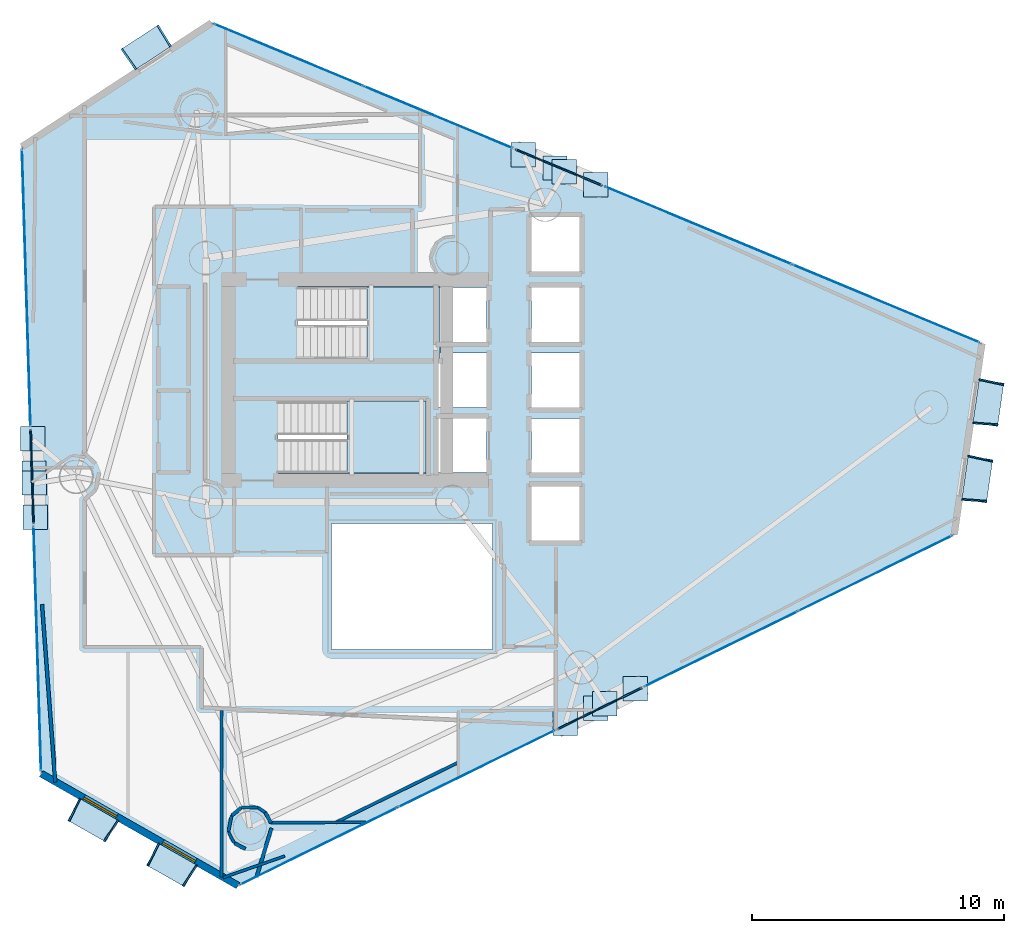
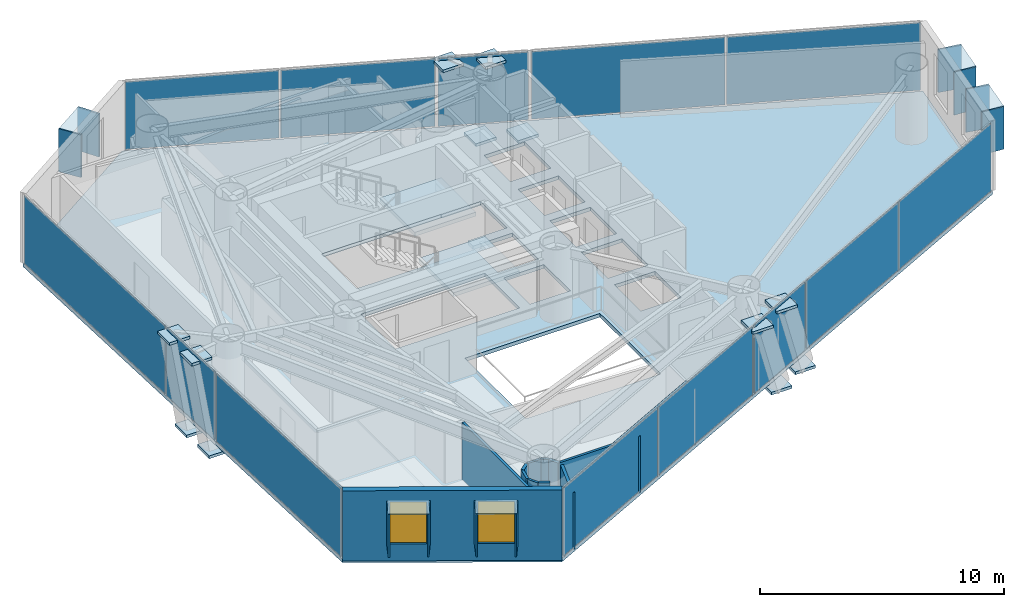
# One storey, part 17 of 22: 40 plates, 14 walls, 3 slabs, 2 windows, 2 openings, 11 elements without a shape of their own.
"""IFC4 building model written with IfcOpenShell, lengths in metres."""

from ifc_helpers import new_model, si_unit, direction, frame, frame_2d, origin, origin_2d, place, context, subcontext, project, spatial, polyline, rectangle, outline, extrude, material, layer, layer_set, type_object, element, fill, aggregate, save


model = new_model("IFC4")

# Units and contexts
model_context = context("Model", 3, precision=1e-05, world=origin(), true_north=direction((0.0, 1.0)))
body_context = subcontext(model_context, "Body", "Model", "MODEL_VIEW")
ifc_project = project(units=[si_unit("LENGTHUNIT", "METRE"), si_unit("AREAUNIT", "SQUARE_METRE"), si_unit("VOLUMEUNIT", "CUBIC_METRE"), si_unit("PLANEANGLEUNIT", "RADIAN"), si_unit("MASSUNIT", "GRAM", prefix="KILO")], contexts=[model_context])

# Site, building, storey
site_placement = place(None, origin())
site = spatial("IfcSite", under=ifc_project, at=site_placement, CompositionType="ELEMENT")
building_placement = place(site_placement, origin())
building = spatial("IfcBuilding", under=site, at=building_placement, Name="Qianvela Tower", CompositionType="ELEMENT")
storey_placement = place(building_placement, frame((0.0, 0.0, 158.699951171875)))
storey = spatial("IfcBuildingStorey", under=building, at=storey_placement, Name="L40", CompositionType="ELEMENT", Elevation=158.699951171875)

# Curtain wall, plate
ifc_material_1 = material(Name="Anodised Architectural Aluminium and Insulated Spandrel Panel", Category="aluminium")
ifc_layer_1 = layer(ifc_material_1, 0.179931640625)
ifc_layer_set_1 = layer_set([ifc_layer_1], Name="Anodised Architectural Aluminium and Insulated Spandrel Panel")
curtain_wall_type_1 = type_object("IfcCurtainWallType", Name="CW-BRACEBAY", PredefinedType="USERDEFINED", material=ifc_layer_set_1)
curtain_wall_1_placement = place(storey_placement, origin())
curtain_wall_1 = element("IfcCurtainWall", 1, at=curtain_wall_1_placement, inside=storey, type_object=curtain_wall_type_1, Name="L40 CW-BRACEBAY Curtain Wall 02B", ObjectType="CURTAIN_WALL_SYSTEM", PredefinedType="USERDEFINED")
ifc_material_2 = material(Name="Insulated Aluminium Spandrel Panel with Mineral-Wool Backpan", Category="aluminium")
ifc_layer_2 = layer(ifc_material_2, 0.06005859375)
ifc_layer_set_2 = layer_set([ifc_layer_2], Name="Insulated Aluminium Spandrel Panel with Mineral-Wool Backpan")
plate_type_1 = type_object("IfcPlateType", Name="CW-BRACEBAY-PNL", PredefinedType="CURTAIN_PANEL", material=ifc_layer_set_2)
plate_1_placement = place(storey_placement, frame((42.632080078125, 37.15087890625, 0.06494140625), z_axis=(0.0, 0.0, 1.0), x_axis=(-0.923253112428, 0.38419225707, 0.0)))
plate_1 = element("IfcPlate", 2, at=plate_1_placement, type_object=plate_type_1, Name="CW-9 panel 1.1", PredefinedType="CURTAIN_PANEL", context=body_context, shape_type="SweptSolid", body=[
    extrude(rectangle(XDim=3.72998046875, YDim=0.06005859375, at=origin_2d()), origin(), (0.0, 0.0, 1.0), 3.389892578125),
])
aggregate(curtain_wall_1, [plate_1])

curtain_wall_2_placement = place(storey_placement, origin())
curtain_wall_2 = element("IfcCurtainWall", 3, at=curtain_wall_2_placement, inside=storey, type_object=curtain_wall_type_1, Name="L40 CW-BRACEBAY Curtain Wall 04B", ObjectType="CURTAIN_WALL_SYSTEM", PredefinedType="USERDEFINED")
plate_2_placement = place(storey_placement, frame((21.693603515625, 24.867431640625, 0.06494140625), z_axis=(0.0, 0.0, 1.0), x_axis=(0.030699327861, -0.999528664556, 0.0)))
plate_2 = element("IfcPlate", 4, at=plate_2_placement, type_object=plate_type_1, Name="CW-9 panel 1.1", PredefinedType="CURTAIN_PANEL", context=body_context, shape_type="SweptSolid", body=[
    extrude(rectangle(XDim=3.72998046875, YDim=0.06005859375, at=origin_2d()), origin(), (0.0, 0.0, 1.0), 3.389892578125),
])
aggregate(curtain_wall_2, [plate_2])

curtain_wall_3_placement = place(storey_placement, origin())
curtain_wall_3 = element("IfcCurtainWall", 5, at=curtain_wall_3_placement, inside=storey, type_object=curtain_wall_type_1, Name="L40 CW-BRACEBAY Curtain Wall 06B", ObjectType="CURTAIN_WALL_SYSTEM", PredefinedType="USERDEFINED")
plate_3_placement = place(storey_placement, frame((44.254638671875, 15.649658203125, 0.06494140625), z_axis=(0.0, 0.0, 1.0), x_axis=(0.897921527875, 0.440155574517, 0.0)))
plate_3 = element("IfcPlate", 6, at=plate_3_placement, type_object=plate_type_1, Name="CW-9 panel 1.1", PredefinedType="CURTAIN_PANEL", context=body_context, shape_type="SweptSolid", body=[
    extrude(rectangle(XDim=3.719970703125, YDim=0.06005859375, at=origin_2d()), origin(), (0.0, 0.0, 1.0), 3.389892578125),
])
aggregate(curtain_wall_3, [plate_3])

# Curtain wall, plates
ifc_material_3 = material(Name="Anodised Architectural Aluminium and Low-E Glass", Category="aluminium")
ifc_layer_3 = layer(ifc_material_3, 0.169921875)
ifc_layer_set_3 = layer_set([ifc_layer_3], Name="Anodised Architectural Aluminium and Low-E Glass")
curtain_wall_type_2 = type_object("IfcCurtainWallType", Name="CW-COLIV-Z34", PredefinedType="USERDEFINED", material=ifc_layer_set_3)
curtain_wall_4_placement = place(storey_placement, origin())
curtain_wall_4 = element("IfcCurtainWall", 7, at=curtain_wall_4_placement, inside=storey, type_object=curtain_wall_type_2, Name="L40 CW-COLIV-Z34 Curtain Wall 02A", ObjectType="CURTAIN_WALL_SYSTEM", PredefinedType="USERDEFINED")
ifc_material_4 = material(Name="Double-Silver Low-E Insulated Glass", Category="glass")
ifc_layer_4 = layer(ifc_material_4, 0.028076171875)
ifc_layer_set_4 = layer_set([ifc_layer_4], Name="Double-Silver Low-E Insulated Glass")
plate_type_2 = type_object("IfcPlateType", Name="CW-COLIV-Z34-PNL", PredefinedType="CURTAIN_PANEL", material=ifc_layer_set_4)
plate_4_placement = place(storey_placement, frame((55.63720703125, 31.7392578125, 0.06494140625), z_axis=(0.0, 0.0, 1.0), x_axis=(-0.923256197428, 0.384184843417, 0.0)))
plate_4 = element("IfcPlate", 8, at=plate_4_placement, type_object=plate_type_2, Name="CW-4 panel 1.1", PredefinedType="CURTAIN_PANEL", context=body_context, shape_type="SweptSolid", body=[
    extrude(rectangle(XDim=8.017578125, YDim=0.028076171875, at=origin_2d()), origin(), (0.0, 0.0, 1.0), 3.389892578125),
])
plate_5_placement = place(storey_placement, frame((48.175048828125, 34.844482421875, 0.06494140625), z_axis=(0.0, 0.0, 1.0), x_axis=(-0.923256197428, 0.384184843417, 0.0)))
plate_5 = element("IfcPlate", 9, at=plate_5_placement, type_object=plate_type_2, Name="CW-4 panel 2.1", PredefinedType="CURTAIN_PANEL", context=body_context, shape_type="SweptSolid", body=[
    extrude(rectangle(XDim=8.017578125, YDim=0.028076171875, at=origin_2d()), origin(), (0.0, 0.0, 1.0), 3.389892578125),
])
aggregate(curtain_wall_4, [plate_4, plate_5])

curtain_wall_5_placement = place(storey_placement, origin())
curtain_wall_5 = element("IfcCurtainWall", 10, at=curtain_wall_5_placement, inside=storey, type_object=curtain_wall_type_2, Name="L40 CW-COLIV-Z34 Curtain Wall 02C", ObjectType="CURTAIN_WALL_SYSTEM", PredefinedType="USERDEFINED")
plate_6_placement = place(storey_placement, frame((37.841552734375, 39.14453125, 0.06494140625), z_axis=(0.0, 0.0, 1.0), x_axis=(-0.923257261312, 0.384182286726, 0.0)))
plate_6 = element("IfcPlate", 11, at=plate_6_placement, type_object=plate_type_2, Name="CW-4 panel 1.1", PredefinedType="CURTAIN_PANEL", context=body_context, shape_type="SweptSolid", body=[
    extrude(rectangle(XDim=6.38720703125, YDim=0.028076171875, at=origin_2d()), origin(), (0.0, 0.0, 1.0), 3.389892578125),
])
plate_7_placement = place(storey_placement, frame((31.884521484375, 41.623291015625, 0.06494140625), z_axis=(0.0, 0.0, 1.0), x_axis=(-0.923257261312, 0.384182286726, 0.0)))
plate_7 = element("IfcPlate", 12, at=plate_7_placement, type_object=plate_type_2, Name="CW-4 panel 2.1", PredefinedType="CURTAIN_PANEL", context=body_context, shape_type="SweptSolid", body=[
    extrude(rectangle(XDim=6.38720703125, YDim=0.028076171875, at=origin_2d()), origin(), (0.0, 0.0, 1.0), 3.389892578125),
])
aggregate(curtain_wall_5, [plate_6, plate_7])

# Curtain wall, plate
curtain_wall_6_placement = place(storey_placement, origin())
curtain_wall_6 = element("IfcCurtainWall", 13, at=curtain_wall_6_placement, inside=storey, type_object=curtain_wall_type_2, Name="L40 CW-COLIV-Z34 Curtain Wall 04A", ObjectType="CURTAIN_WALL_SYSTEM", PredefinedType="USERDEFINED")
plate_8_placement = place(storey_placement, frame((21.46337890625, 32.35888671875, 0.06494140625), z_axis=(0.0, 0.0, 1.0), x_axis=(0.030718908808, -0.999528062959, 0.0)))
plate_8 = element("IfcPlate", 14, at=plate_8_placement, type_object=plate_type_2, Name="CW-4 panel 1.1", PredefinedType="CURTAIN_PANEL", context=body_context, shape_type="SweptSolid", body=[
    extrude(rectangle(XDim=11.0, YDim=0.028076171875, at=origin_2d()), origin(), (0.0, 0.0, 1.0), 3.389892578125),
])
aggregate(curtain_wall_6, [plate_8])

curtain_wall_7_placement = place(storey_placement, origin())
curtain_wall_7 = element("IfcCurtainWall", 15, at=curtain_wall_7_placement, inside=storey, type_object=curtain_wall_type_2, Name="L40 CW-COLIV-Z34 Curtain Wall 04C", ObjectType="CURTAIN_WALL_SYSTEM", PredefinedType="USERDEFINED")
plate_9_placement = place(storey_placement, frame((21.90380859375, 18.022216796875, 0.06494140625), z_axis=(0.0, 0.0, 1.0), x_axis=(0.030720926119, -0.999528000958, 0.0)))
plate_9 = element("IfcPlate", 16, at=plate_9_placement, type_object=plate_type_2, Name="CW-4 panel 1.1", PredefinedType="CURTAIN_PANEL", context=body_context, shape_type="SweptSolid", body=[
    extrude(rectangle(XDim=9.70703125, YDim=0.028076171875, at=origin_2d()), origin(), (0.0, 0.0, 1.0), 3.389892578125),
])
aggregate(curtain_wall_7, [plate_9])

# Curtain wall, plates
curtain_wall_8_placement = place(storey_placement, origin())
curtain_wall_8 = element("IfcCurtainWall", 17, at=curtain_wall_8_placement, inside=storey, type_object=curtain_wall_type_2, Name="L40 CW-COLIV-Z34 Curtain Wall 06A", ObjectType="CURTAIN_WALL_SYSTEM", PredefinedType="USERDEFINED")
plate_10_placement = place(storey_placement, frame((33.09228515625, 10.177978515625, 0.06494140625), z_axis=(0.0, 0.0, 1.0), x_axis=(0.897927516592, 0.440143357268, 0.0)))
plate_10 = element("IfcPlate", 18, at=plate_10_placement, type_object=plate_type_2, Name="CW-4 panel 1.1", PredefinedType="CURTAIN_PANEL", context=body_context, shape_type="SweptSolid", body=[
    extrude(rectangle(XDim=6.91748046875, YDim=0.028076171875, at=origin_2d()), origin(), (0.0, 0.0, 1.0), 3.389892578125),
])
plate_11_placement = place(storey_placement, frame((39.362060546875, 13.25146484375, 0.06494140625), z_axis=(0.0, 0.0, 1.0), x_axis=(0.897927516592, 0.440143357268, 0.0)))
plate_11 = element("IfcPlate", 19, at=plate_11_placement, type_object=plate_type_2, Name="CW-4 panel 2.1", PredefinedType="CURTAIN_PANEL", context=body_context, shape_type="SweptSolid", body=[
    extrude(rectangle(XDim=6.91748046875, YDim=0.028076171875, at=origin_2d()), origin(), (0.0, 0.0, 1.0), 3.389892578125),
])
aggregate(curtain_wall_8, [plate_10, plate_11])

curtain_wall_9_placement = place(storey_placement, origin())
curtain_wall_9 = element("IfcCurtainWall", 20, at=curtain_wall_9_placement, inside=storey, type_object=curtain_wall_type_2, Name="L40 CW-COLIV-Z34 Curtain Wall 06C", ObjectType="CURTAIN_WALL_SYSTEM", PredefinedType="USERDEFINED")
plate_12_placement = place(storey_placement, frame((49.075927734375, 18.012939453125, 0.06494140625), z_axis=(0.0, 0.0, 1.0), x_axis=(0.897927560932, 0.44014326681, 0.0)))
plate_12 = element("IfcPlate", 21, at=plate_12_placement, type_object=plate_type_2, Name="CW-4 panel 1.1", PredefinedType="CURTAIN_PANEL", context=body_context, shape_type="SweptSolid", body=[
    extrude(rectangle(XDim=6.7587890625, YDim=0.028076171875, at=origin_2d()), origin(), (0.0, 0.0, 1.0), 3.389892578125),
])
plate_13_placement = place(storey_placement, frame((55.203125, 21.016357421875, 0.06494140625), z_axis=(0.0, 0.0, 1.0), x_axis=(0.897927560932, 0.44014326681, 0.0)))
plate_13 = element("IfcPlate", 22, at=plate_13_placement, type_object=plate_type_2, Name="CW-4 panel 2.1", PredefinedType="CURTAIN_PANEL", context=body_context, shape_type="SweptSolid", body=[
    extrude(rectangle(XDim=6.7587890625, YDim=0.028076171875, at=origin_2d()), origin(), (0.0, 0.0, 1.0), 3.389892578125),
])
aggregate(curtain_wall_9, [plate_12, plate_13])

# Plates
ifc_material_5 = material(Name="Steel Q420GJC", Category="steel")
ifc_layer_5 = layer(ifc_material_5, 0.139892578125)
ifc_layer_set_5 = layer_set([ifc_layer_5], Name="Steel Q420GJC")
plate_type_3 = type_object("IfcPlateType", Name="PT-GUSSET-NODE-140", PredefinedType="USERDEFINED", material=ifc_layer_set_5)
for number, where, z_axis, x_axis, name in (
    (23, (44.093994140625, 36.4560546875, -0.61328125), (0.0, 0.0, 1.0), (1.0, 0.0, 0.0), "L40 Node Gusset Plate A"),
    (24, (42.842041015625, 36.976806640625, 3.20947265625), (0.0, 0.0, 1.0), (1.0, 0.0, 0.0), "L40 Node Gusset Plate B"),
    (25, (42.47607421875, 37.12939453125, -0.61328125), (0.0, 0.0, 1.0), (1.0, 0.0, 0.0), "L40 Node Gusset Plate A"),
    (26, (41.223876953125, 37.650146484375, 3.20947265625), (0.0, 0.0, 1.0), (1.0, 0.0, 0.0), "L40 Node Gusset Plate B"),
    (27, (21.769287109375, 25.005859375, -0.61328125), (0.0, 0.0, 1.0), (1.0, 0.0, 0.0), "L40 Node Gusset Plate A"),
    (28, (21.727783203125, 26.361083984375, 3.20947265625), (0.0, 0.0, 1.0), (1.0, 0.0, 0.0), "L40 Node Gusset Plate B"),
    (29, (21.8232421875, 23.254150390625, -0.61328125), (0.0, 0.0, 1.0), (1.0, 0.0, 0.0), "L40 Node Gusset Plate A"),
    (30, (21.781494140625, 24.609619140625, 3.20947265625), (0.0, 0.0, 1.0), (1.0, 0.0, 0.0), "L40 Node Gusset Plate B"),
    (31, (44.09716796875, 15.66162109375, -0.61328125), (0.0, 0.0, 1.0), (1.0, 0.0, 0.0), "L40 Node Gusset Plate A"),
    (32, (42.87939453125, 15.064697265625, 3.20947265625), (0.0, 0.0, 1.0), (1.0, 0.0, 0.0), "L40 Node Gusset Plate B"),
    (33, (45.6708984375, 16.432861328125, -0.61328125), (0.0, 0.0, 1.0), (1.0, 0.0, 0.0), "L40 Node Gusset Plate A"),
    (34, (44.453125, 15.8359375, 3.20947265625), (0.0, 0.0, 1.0), (1.0, 0.0, 0.0), "L40 Node Gusset Plate B"),
):
    element("IfcPlate", number, at=place(storey_placement, frame(where, z_axis=z_axis, x_axis=x_axis)), inside=storey, type_object=plate_type_3, Name=name, ObjectType="GUSSET_PLATE", PredefinedType="USERDEFINED", context=body_context, shape_type="SweptSolid", body=[
        extrude(rectangle(XDim=0.969970703125, YDim=0.969970703125, at=origin_2d()), origin(), (0.0, 0.0, 1.0), 0.139892578125),
    ])

# Slab
ifc_material_6 = material(Name="Concrete C40", Category="concrete")
ifc_layer_6 = layer(ifc_material_6, 0.179931640625)
ifc_layer_set_6 = layer_set([ifc_layer_6], Name="Concrete C40")
slab_type_1 = type_object("IfcSlabType", Name="SL-FLOOR-180", PredefinedType="FLOOR", material=ifc_layer_set_6)
slab_1_placement = place(storey_placement, frame((0.0, 0.0, -0.179931640625)))
element("IfcSlab", 35, at=slab_1_placement, inside=storey, type_object=slab_type_1, Name="L40 Composite Structural Floor Slab", PredefinedType="FLOOR", context=body_context, shape_type="SweptSolid", body=[
    extrude(outline(polyline([(58.3408203125, 22.55419921875), (59.444580078125, 30.155029296875), (28.82958984375, 42.894287109375), (21.291015625, 37.97119140625), (22.056396484375, 13.05615234375), (29.88330078125, 8.60498046875), (58.3408203125, 22.55419921875)]), holes=[polyline([(40.0, 23.0), (33.60009765625, 23.0), (33.60009765625, 18.0), (40.0, 18.0), (40.0, 23.0)]), polyline([(39.760009765625, 27.179931640625), (37.840087890625, 27.179931640625), (37.840087890625, 25.02001953125), (39.760009765625, 25.02001953125), (39.760009765625, 27.179931640625)]), polyline([(37.35009765625, 27.860107421875), (31.469970703125, 27.860107421875), (31.469970703125, 25.0), (37.35009765625, 25.0), (37.35009765625, 27.860107421875)]), polyline([(37.840087890625, 27.6201171875), (39.760009765625, 27.6201171875), (39.760009765625, 29.780029296875), (37.89990234375, 29.780029296875), (37.89990234375, 30.219970703125), (39.760009765625, 30.219970703125), (39.760009765625, 32.3798828125), (37.89990234375, 32.3798828125), (37.89990234375, 32.39990234375), (32.25, 32.39990234375), (32.25, 29.5400390625), (37.840087890625, 29.5400390625), (37.840087890625, 27.6201171875)]), polyline([(43.4599609375, 22.320068359375), (43.4599609375, 24.47998046875), (41.5400390625, 24.47998046875), (41.5400390625, 22.320068359375), (43.4599609375, 22.320068359375)]), polyline([(43.4599609375, 25.02001953125), (43.4599609375, 27.179931640625), (41.5400390625, 27.179931640625), (41.5400390625, 25.02001953125), (43.4599609375, 25.02001953125)]), polyline([(43.4599609375, 29.780029296875), (41.5400390625, 29.780029296875), (41.5400390625, 27.6201171875), (43.4599609375, 27.6201171875), (43.4599609375, 29.780029296875)]), polyline([(43.4599609375, 30.219970703125), (43.4599609375, 32.3798828125), (41.5400390625, 32.3798828125), (41.5400390625, 30.219970703125), (43.4599609375, 30.219970703125)]), polyline([(43.4599609375, 33.02001953125), (43.4599609375, 35.179931640625), (41.5400390625, 35.179931640625), (41.5400390625, 33.02001953125), (43.4599609375, 33.02001953125)])]), origin(), (0.0, 0.0, 1.0), 0.179931640625),
])

# Stair, slab
ifc_material_7 = material(Name="Concrete C40", Category="concrete")
stair_type = type_object("IfcStairType", Name="ST-DOGLEG-1350-R168-N22", PredefinedType="HALF_TURN_STAIR", material=ifc_material_7)
stair_1_placement = place(storey_placement, origin())
stair_1 = element("IfcStair", 36, at=stair_1_placement, inside=storey, type_object=stair_type, Name="L40 Smoke-Proof Core Stair ST-1", PredefinedType="HALF_TURN_STAIR")
ifc_material_8 = material(Name="Concrete C40", Category="concrete")
ifc_layer_7 = layer(ifc_material_8, 0.199951171875)
ifc_layer_set_7 = layer_set([ifc_layer_7], Name="Concrete C40")
slab_type_2 = type_object("IfcSlabType", Name="SL-STAIR-LANDING-200", PredefinedType="LANDING", material=ifc_layer_set_7)
slab_2_placement = place(storey_placement, frame((0.0, 0.0, 1.650146484375)))
slab_2 = element("IfcSlab", 37, at=slab_2_placement, type_object=slab_type_2, Name="ST-1 landing 1", PredefinedType="LANDING", context=body_context, shape_type="SweptSolid", body=[
    extrude(outline(polyline([(35.0, 29.5400390625), (37.89990234375, 29.5400390625), (37.89990234375, 32.39990234375), (35.0, 32.39990234375), (35.0, 29.5400390625)])), origin(), (0.0, 0.0, 1.0), 0.199951171875),
])
aggregate(stair_1, [slab_2])

stair_2_placement = place(storey_placement, origin())
stair_2 = element("IfcStair", 38, at=stair_2_placement, inside=storey, type_object=stair_type, Name="L40 Smoke-Proof Core Stair ST-2", PredefinedType="HALF_TURN_STAIR")
slab_3_placement = place(storey_placement, frame((0.0, 0.0, 1.650146484375)))
slab_3 = element("IfcSlab", 39, at=slab_3_placement, type_object=slab_type_2, Name="ST-2 landing 1", PredefinedType="LANDING", context=body_context, shape_type="SweptSolid", body=[
    extrude(outline(polyline([(34.219970703125, 25.0), (37.35009765625, 25.0), (37.35009765625, 27.860107421875), (34.219970703125, 27.860107421875), (34.219970703125, 25.0)])), origin(), (0.0, 0.0, 1.0), 0.199951171875),
])
aggregate(stair_2, [slab_3])

# Plates
ifc_material_9 = material(Name="Vitrified Architectural Terracotta Panel", Category="masonry")
ifc_layer_8 = layer(ifc_material_9, 0.06005859375)
ifc_layer_set_8 = layer_set([ifc_layer_8], Name="Vitrified Architectural Terracotta Panel")
plate_type_4 = type_object("IfcPlateType", Name="TERRACOTTA-SUNSHADE-HOOD-FOLD-A", PredefinedType="USERDEFINED", material=ifc_layer_set_8)
for number, where, z_axis, x_axis, name in (
    (40, (59.2607421875, 24.7490234375, 2.9599609375), (0.0, 0.0, 1.0), (0.143729253536, 0.989617047993, 0.0), "L40 Terracotta Sunshade Hood FOLD-A"),
    (41, (59.702392578125, 27.789306640625, 2.9599609375), (0.0, 0.0, 1.0), (0.143729253536, 0.989617047993, 0.0), "L40 Terracotta Sunshade Hood FOLD-A"),
    (42, (24.1103515625, 11.20361328125, 2.9599609375), (0.0, 0.0, 1.0), (0.869268107929, -0.494340931481, 0.0), "L40 Terracotta Sunshade Hood FOLD-A"),
    (43, (27.2412109375, 9.423095703125, 2.9599609375), (0.0, 0.0, 1.0), (0.869268107929, -0.494340931481, 0.0), "L40 Terracotta Sunshade Hood FOLD-A"),
):
    element("IfcPlate", number, at=place(storey_placement, frame(where, z_axis=z_axis, x_axis=x_axis)), inside=storey, type_object=plate_type_4, Name=name, ObjectType="SUNSHADE", PredefinedType="USERDEFINED", context=body_context, shape_type="SweptSolid", body=[
        extrude(rectangle(XDim=1.739990234375, YDim=0.989990234375, at=origin_2d()), origin(), (0.0, 0.0, 1.0), 0.06005859375),
    ])
ifc_material_10 = material(Name="Vitrified Architectural Terracotta Panel", Category="masonry")
ifc_layer_9 = layer(ifc_material_10, 0.070068359375)
ifc_layer_set_9 = layer_set([ifc_layer_9], Name="Vitrified Architectural Terracotta Panel")
plate_type_5 = type_object("IfcPlateType", Name="TERRACOTTA-SUNSHADE-HOOD-FOLD-C", PredefinedType="USERDEFINED", material=ifc_layer_set_9)
plate_14_placement = place(storey_placement, frame((26.24267578125, 41.915771484375, 2.9599609375), z_axis=(0.0, 0.0, 1.0), x_axis=(-0.837280962229, -0.546772887303, 0.0)))
element("IfcPlate", 44, at=plate_14_placement, inside=storey, type_object=plate_type_5, Name="L40 Terracotta Sunshade Hood FOLD-C", ObjectType="SUNSHADE", PredefinedType="USERDEFINED", context=body_context, shape_type="SweptSolid", body=[
    extrude(rectangle(XDim=1.739990234375, YDim=0.989990234375, at=origin_2d()), origin(), (0.0, 0.0, 1.0), 0.06005859375),
])
ifc_material_11 = material(Name="Vitrified Architectural Terracotta Side Fin Panel", Category="masonry")
ifc_layer_10 = layer(ifc_material_11, 0.06494140625)
ifc_layer_set_10 = layer_set([ifc_layer_10], Name="Vitrified Architectural Terracotta Side Fin Panel")
plate_type_6 = type_object("IfcPlateType", Name="TERRACOTTA-SUNSHADE-STRUT-FOLD-A", PredefinedType="USERDEFINED", material=ifc_layer_set_10)
for number, where, z_axis, x_axis, name in (
    (45, (59.139892578125, 23.917724609375, 0.85009765625), (0.0, 0.0, 1.0), (0.074346940674, 0.997232436502, 0.0), "L40 Terracotta Sunshade Side Fin HL FOLD-A"),
    (46, (59.38134765625, 25.580322265625, 0.85009765625), (0.0, 0.0, 1.0), (0.212411331924, 0.977180344701, 0.0), "L40 Terracotta Sunshade Side Fin HR FOLD-A"),
    (47, (59.58154296875, 26.9580078125, 0.85009765625), (0.0, 0.0, 1.0), (0.074346940674, 0.997232436502, 0.0), "L40 Terracotta Sunshade Side Fin HL FOLD-A"),
    (48, (59.822998046875, 28.62060546875, 0.85009765625), (0.0, 0.0, 1.0), (0.212411331924, 0.977180344701, 0.0), "L40 Terracotta Sunshade Side Fin HR FOLD-A"),
    (49, (23.380126953125, 11.618896484375, 0.85009765625), (0.0, 0.0, 1.0), (0.901634094715, -0.43249966387, 0.0), "L40 Terracotta Sunshade Side Fin HL FOLD-A"),
    (50, (24.840576171875, 10.788330078125, 0.85009765625), (0.0, 0.0, 1.0), (0.8326671343, -0.553773819765, 0.0), "L40 Terracotta Sunshade Side Fin HR FOLD-A"),
    (51, (26.510986328125, 9.83837890625, 0.85009765625), (0.0, 0.0, 1.0), (0.901634094715, -0.43249966387, 0.0), "L40 Terracotta Sunshade Side Fin HL FOLD-A"),
    (52, (27.97119140625, 9.0078125, 0.85009765625), (0.0, 0.0, 1.0), (0.8326671343, -0.553773819765, 0.0), "L40 Terracotta Sunshade Side Fin HR FOLD-A"),
):
    element("IfcPlate", number, at=place(storey_placement, frame(where, z_axis=z_axis, x_axis=x_axis)), inside=storey, type_object=plate_type_6, Name=name, ObjectType="SUNSHADE", PredefinedType="USERDEFINED", context=body_context, shape_type="SweptSolid", body=[
        extrude(rectangle(XDim=0.06494140625, YDim=1.010009765625, at=origin_2d()), origin(), (0.0, 0.0, 1.0), 2.159912109375),
    ])
ifc_material_12 = material(Name="Vitrified Architectural Terracotta Side Fin Panel", Category="masonry")
ifc_layer_11 = layer(ifc_material_12, 0.074951171875)
ifc_layer_set_11 = layer_set([ifc_layer_11], Name="Vitrified Architectural Terracotta Side Fin Panel")
plate_type_7 = type_object("IfcPlateType", Name="TERRACOTTA-SUNSHADE-STRUT-FOLD-C", PredefinedType="USERDEFINED", material=ifc_layer_set_11)
for number, where, z_axis, x_axis, name in (
    (53, (26.946044921875, 42.375, 0.85009765625), (0.0, 0.0, 1.0), (-0.855853011867, -0.517219123853, 0.0), "L40 Terracotta Sunshade Side Fin HL FOLD-C"),
    (54, (25.539306640625, 41.456298828125, 0.85009765625), (0.0, 0.0, 1.0), (-0.817688814712, -0.575660492213, 0.0), "L40 Terracotta Sunshade Side Fin HR FOLD-C"),
):
    element("IfcPlate", number, at=place(storey_placement, frame(where, z_axis=z_axis, x_axis=x_axis)), inside=storey, type_object=plate_type_7, Name=name, ObjectType="SUNSHADE", PredefinedType="USERDEFINED", context=body_context, shape_type="SweptSolid", body=[
        extrude(rectangle(XDim=0.074951171875, YDim=1.010009765625, at=origin_2d()), origin(), (0.0, 0.0, 1.0), 2.159912109375),
    ])

# Wall, openings, windows
ifc_material_13 = material(Name="Terracotta Cladding on Concrete C40", Category="masonry")
ifc_layer_12 = layer(ifc_material_13, 0.280029296875)
ifc_layer_set_12 = layer_set([ifc_layer_12], Name="Terracotta Cladding on Concrete C40")
wall_type_1 = type_object("IfcWallType", Name="TERRACOTTA-WALL-280", PredefinedType="SOLIDWALL", material=ifc_layer_set_12)
wall_1_placement = place(storey_placement, frame((22.056396484375, 13.05615234375, 0.0), z_axis=(0.0, 0.0, 1.0), x_axis=(0.869262475314, -0.494350835956, 0.0)))
wall_1 = element("IfcWall", 55, at=wall_1_placement, inside=storey, type_object=wall_type_1, Name="L40 Terracotta Chamfer Facet Wall 5", PredefinedType="SOLIDWALL", context=body_context, shape_type="SweptSolid", body=[
    extrude(rectangle(XDim=9.004150390625, YDim=0.280029296875, at=frame_2d((4.501953125, 0.0))), origin(), (0.0, 0.0, 1.0), 3.52001953125),
])
opening_1_placement = place(wall_1_placement, frame((1.951171875, 0.0, 0.85009765625)))
opening_1 = element("IfcOpeningElement", 56, at=opening_1_placement, cuts=wall_1, Name="Opening W-02", PredefinedType="OPENING", context=body_context, shape_type="SweptSolid", body=[
    extrude(rectangle(XDim=1.5, YDim=2.10009765625, at=frame_2d((0.75, 1.050048828125))), frame((0.0, 0.14990234375, 0.0), z_axis=(0.0, -1.0, 0.0), x_axis=(1.0, 0.0, 0.0)), (0.0, 0.0, 1.0), 0.300048828125),
])
opening_2_placement = place(wall_1_placement, frame((5.552734375, 0.0, 0.85009765625)))
opening_2 = element("IfcOpeningElement", 57, at=opening_2_placement, cuts=wall_1, Name="Opening W-02", PredefinedType="OPENING", context=body_context, shape_type="SweptSolid", body=[
    extrude(rectangle(XDim=1.5, YDim=2.10009765625, at=frame_2d((0.75, 1.050048828125))), frame((0.0, 0.14990234375, 0.0), z_axis=(0.0, -1.0, 0.0), x_axis=(1.0, 0.0, 0.0)), (0.0, 0.0, 1.0), 0.300048828125),
])
ifc_material_14 = material(Name="Thermally Broken Aluminium and Low-E Glass", Category="aluminium")
window_type = type_object("IfcWindowType", Name="WIN-TC-1500x2100", PartitioningType="DOUBLE_PANEL_VERTICAL", PredefinedType="WINDOW", material=ifc_material_14)
window_1_placement = place(opening_1_placement, origin())
window_1 = element("IfcWindow", 58, at=window_1_placement, inside=storey, type_object=window_type, Name="L40 Chamfer Facet Window 5.1", OverallHeight=2.10009765625, OverallWidth=1.5, PartitioningType="SINGLE_PANEL", PredefinedType="WINDOW", context=body_context, shape_type="SweptSolid", body=[
    extrude(rectangle(XDim=1.5, YDim=2.10009765625, at=frame_2d((0.75, 1.050048828125))), frame((0.0, 0.030029296875, 0.0), z_axis=(0.0, -1.0, 0.0), x_axis=(1.0, 0.0, 0.0)), (0.0, 0.0, 1.0), 0.06005859375),
])
fill(opening_1, window_1)
window_2_placement = place(opening_2_placement, origin())
window_2 = element("IfcWindow", 59, at=window_2_placement, inside=storey, type_object=window_type, Name="L40 Chamfer Facet Window 5.2", OverallHeight=2.10009765625, OverallWidth=1.5, PartitioningType="SINGLE_PANEL", PredefinedType="WINDOW", context=body_context, shape_type="SweptSolid", body=[
    extrude(rectangle(XDim=1.5, YDim=2.10009765625, at=frame_2d((0.75, 1.050048828125))), frame((0.0, 0.030029296875, 0.0), z_axis=(0.0, -1.0, 0.0), x_axis=(1.0, 0.0, 0.0)), (0.0, 0.0, 1.0), 0.06005859375),
])
fill(opening_2, window_2)

# Walls
ifc_material_15 = material(Name="Lightweight Gypsum Room Partition")
ifc_layer_13 = layer(ifc_material_15, 0.10498046875)
ifc_layer_set_13 = layer_set([ifc_layer_13], Name="Lightweight Gypsum Room Partition")
wall_type_2 = type_object("IfcWallType", Name="WT-PART-105", PredefinedType="PARTITIONING", material=ifc_layer_set_13)
wall_2_placement = place(storey_placement, frame((35.040283203125, 11.123291015625, 0.0), z_axis=(0.0, 0.0, 1.0), x_axis=(-0.999996828806, -0.00251840793, 0.0)))
element("IfcWall", 60, at=wall_2_placement, inside=storey, type_object=wall_type_2, Name="L40 Partition 73", PredefinedType="PARTITIONING", context=body_context, shape_type="SweptSolid", body=[
    extrude(rectangle(XDim=3.877685546875, YDim=0.10498046875, at=frame_2d((1.93896484375, 0.0))), origin(), (0.0, 0.0, 1.0), 2.840087890625),
])
wall_3_placement = place(storey_placement, frame((30.66650390625, 11.71142578125, 0.0), z_axis=(0.0, 0.0, 1.0), x_axis=(-1.0, 0.0, 0.0)))
element("IfcWall", 61, at=wall_3_placement, inside=storey, type_object=wall_type_2, Name="L40 Partition 76", PredefinedType="PARTITIONING", context=body_context, shape_type="SweptSolid", body=[
    extrude(rectangle(XDim=0.638916015625, YDim=0.10498046875, at=frame_2d((0.3193359375, 0.0))), origin(), (0.0, 0.0, 1.0), 2.840087890625),
])
wall_4_placement = place(storey_placement, frame((29.500732421875, 10.7314453125, 0.0), z_axis=(0.0, 0.0, 1.0), x_axis=(0.471424550379, -0.88190639713, 0.0)))
element("IfcWall", 62, at=wall_4_placement, inside=storey, type_object=wall_type_2, Name="L40 Partition 79", PredefinedType="PARTITIONING", context=body_context, shape_type="SweptSolid", body=[
    extrude(rectangle(XDim=0.484619140625, YDim=0.10498046875, at=frame_2d((0.2421875, 0.0))), origin(), (0.0, 0.0, 1.0), 2.840087890625),
])
wall_5_placement = place(storey_placement, frame((31.737548828125, 9.78125, 0.0), z_axis=(0.0, 0.0, 1.0), x_axis=(-0.944171617612, -0.329454027894, 0.0)))
element("IfcWall", 63, at=wall_5_placement, inside=storey, type_object=wall_type_2, Name="L40 Partition 85 seg 1", PredefinedType="PARTITIONING", context=body_context, shape_type="SweptSolid", body=[
    extrude(rectangle(XDim=2.5966796875, YDim=0.10498046875, at=frame_2d((1.29833984375, 0.0))), origin(), (0.0, 0.0, 1.0), 2.840087890625),
])
ifc_material_16 = material(Name="Insulated Gypsum Stud Partition")
ifc_layer_14 = layer(ifc_material_16, 0.1201171875)
ifc_layer_set_14 = layer_set([ifc_layer_14], Name="Insulated Gypsum Stud Partition")
wall_type_3 = type_object("IfcWallType", Name="WT-PART-120", PredefinedType="PARTITIONING", material=ifc_layer_set_14)
wall_6_placement = place(storey_placement, frame((29.22705078125, 15.570068359375, 0.0), z_axis=(0.0, 0.0, 1.0), x_axis=(0.0, -1.0, 0.0)))
element("IfcWall", 64, at=wall_6_placement, inside=storey, type_object=wall_type_3, Name="L40 Partition 69", PredefinedType="PARTITIONING", context=body_context, shape_type="SweptSolid", body=[
    extrude(rectangle(XDim=6.61181640625, YDim=0.1201171875, at=frame_2d((3.305908203125, 0.0))), origin(), (0.0, 0.0, 1.0), 2.840087890625),
])
wall_7_placement = place(storey_placement, frame((38.644287109375, 13.51318359375, 0.0), z_axis=(0.0, 0.0, 1.0), x_axis=(-0.897915162587, -0.440168559526, 0.0)))
element("IfcWall", 65, at=wall_7_placement, inside=storey, type_object=wall_type_3, Name="L40 Partition 72", PredefinedType="PARTITIONING", context=body_context, shape_type="SweptSolid", body=[
    extrude(rectangle(XDim=5.444580078125, YDim=0.1201171875, at=frame_2d((2.72216796875, 0.0))), origin(), (0.0, 0.0, 1.0), 2.840087890625),
])
wall_8_placement = place(storey_placement, frame((30.95458984375, 11.525146484375, 0.0), z_axis=(0.0, 0.0, 1.0), x_axis=(-0.831126758744, 0.556083007203, 0.0)))
element("IfcWall", 66, at=wall_8_placement, inside=storey, type_object=wall_type_3, Name="L40 Partition 75", PredefinedType="PARTITIONING", context=body_context, shape_type="SweptSolid", body=[
    extrude(rectangle(XDim=0.32568359375, YDim=0.1201171875, at=frame_2d((0.162841796875, 0.0))), origin(), (0.0, 0.0, 1.0), 2.840087890625),
])
wall_9_placement = place(storey_placement, frame((29.622314453125, 11.37890625, 0.0), z_axis=(0.0, 0.0, 1.0), x_axis=(-0.195234371211, -0.98075661624, 0.0)))
element("IfcWall", 67, at=wall_9_placement, inside=storey, type_object=wall_type_3, Name="L40 Partition 78", PredefinedType="PARTITIONING", context=body_context, shape_type="SweptSolid", body=[
    extrude(rectangle(XDim=0.638916015625, YDim=0.1201171875, at=frame_2d((0.3193359375, 0.0))), origin(), (0.0, 0.0, 1.0), 2.840087890625),
])
ifc_material_17 = material(Name="Acoustic Double Gypsum Stud Partition")
ifc_layer_15 = layer(ifc_material_17, 0.139892578125)
ifc_layer_set_15 = layer_set([ifc_layer_15], Name="Acoustic Double Gypsum Stud Partition")
wall_type_4 = type_object("IfcWallType", Name="WT-ROOM-140", PredefinedType="PARTITIONING", material=ifc_layer_set_15)
wall_10_placement = place(storey_placement, frame((22.6181640625, 12.717041015625, 0.0), z_axis=(0.0, 0.0, 1.0), x_axis=(-0.074526247732, 0.997219052365, 0.0)))
element("IfcWall", 68, at=wall_10_placement, inside=storey, type_object=wall_type_4, Name="L40 Partition 71 seg 1", PredefinedType="PARTITIONING", context=body_context, shape_type="SweptSolid", body=[
    extrude(rectangle(XDim=7.089111328125, YDim=0.139892578125, at=frame_2d((3.54443359375, 0.0))), origin(), (0.0, 0.0, 1.0), 2.840087890625),
])
wall_11_placement = place(storey_placement, frame((31.18994140625, 11.09716796875, 0.0), z_axis=(0.0, 0.0, 1.0), x_axis=(-0.475420071565, 0.879758918996, 0.0)))
element("IfcWall", 69, at=wall_11_placement, inside=storey, type_object=wall_type_4, Name="L40 Partition 74", PredefinedType="PARTITIONING", context=body_context, shape_type="SweptSolid", body=[
    extrude(rectangle(XDim=0.473876953125, YDim=0.139892578125, at=frame_2d((0.23681640625, 0.0))), origin(), (0.0, 0.0, 1.0), 2.840087890625),
])
for number, where, z_axis, x_axis, name in (
    (70, (30.0078125, 11.704345703125, 0.0), (0.0, 0.0, 1.0), (-0.773193692611, -0.634169940715, 0.0), "L40 Partition 77"),
    (71, (29.741943359375, 10.291259765625, 0.0), (0.0, 0.0, 1.0), (0.88190639713, -0.471424550379, 0.0), "L40 Partition 80"),
):
    element("IfcWall", number, at=place(storey_placement, frame(where, z_axis=z_axis, x_axis=x_axis)), inside=storey, type_object=wall_type_4, Name=name, PredefinedType="PARTITIONING", context=body_context, shape_type="SweptSolid", body=[
        extrude(rectangle(XDim=0.484619140625, YDim=0.139892578125, at=frame_2d((0.2421875, 0.0))), origin(), (0.0, 0.0, 1.0), 2.840087890625),
    ])
wall_12_placement = place(storey_placement, frame((30.614990234375, 8.947509765625, 0.0), z_axis=(0.0, 0.0, 1.0), x_axis=(0.292812756938, 0.956169801538, 0.0)))
element("IfcWall", 72, at=wall_12_placement, inside=storey, type_object=wall_type_4, Name="L40 Partition 83", PredefinedType="PARTITIONING", context=body_context, shape_type="SweptSolid", body=[
    extrude(rectangle(XDim=2.03515625, YDim=0.139892578125, at=frame_2d((1.017578125, 0.0))), origin(), (0.0, 0.0, 1.0), 2.840087890625),
])

save(model, "model.ifc")
